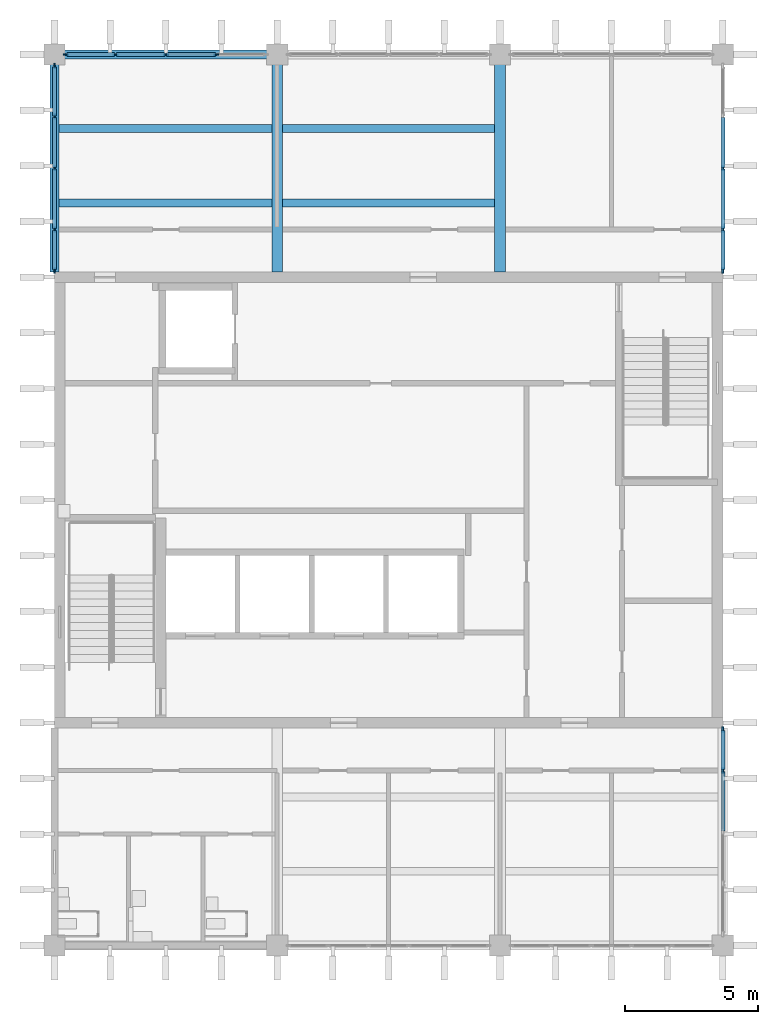
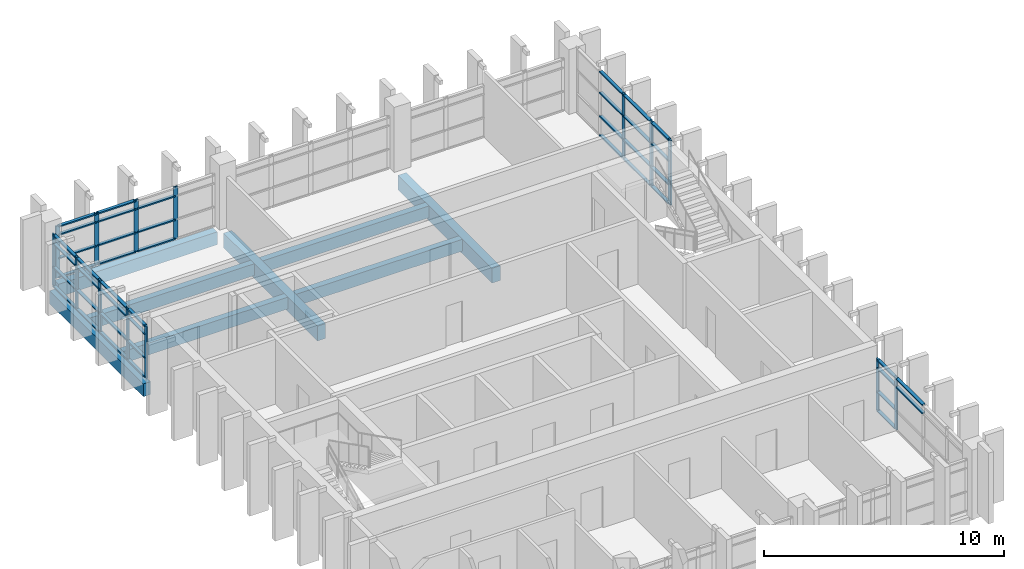
# One storey, part 3 of 11: 59 members, 8 beams, 4 elements without a shape of their own.
"""IFC4 building model written with IfcOpenShell, lengths in metres."""

from ifc_helpers import new_model, si_unit, direction, frame, origin, origin_2d, place, context, subcontext, project, spatial, rectangle, extrude, material, layer, layer_set, material_profile, profile_set, type_object, element, aggregate, save


model = new_model("IFC4")

# Units and contexts
model_context = context("Model", 3, precision=1e-05, world=origin(), true_north=direction((0.0, 1.0)))
body_context = subcontext(model_context, "Body", "Model", "MODEL_VIEW")
ifc_project = project(units=[si_unit("LENGTHUNIT", "METRE"), si_unit("AREAUNIT", "SQUARE_METRE"), si_unit("VOLUMEUNIT", "CUBIC_METRE"), si_unit("PLANEANGLEUNIT", "RADIAN"), si_unit("MASSUNIT", "GRAM", prefix="KILO")], contexts=[model_context])

# Site, building, storey
site_placement = place(None, origin())
site = spatial("IfcSite", under=ifc_project, at=site_placement, CompositionType="ELEMENT")
building_placement = place(site_placement, origin())
building = spatial("IfcBuilding", under=site, at=building_placement, Name="Rulbaag Community and Learning Centre", CompositionType="ELEMENT")
storey_placement = place(building_placement, frame((0.0, 0.0, 46.800048828125)))
storey = spatial("IfcBuildingStorey", under=building, at=storey_placement, Name="L12", CompositionType="ELEMENT", Elevation=46.800048828125)

# Beams
ifc_material_1 = material(Name="Concrete M40", Category="concrete")
ifc_material_profile_1 = material_profile(ifc_material_1, rectangle(XDim=0.35009765625, YDim=0.64990234375, at=origin_2d()), Name="RB350x650")
ifc_profile_set_1 = profile_set([ifc_material_profile_1], Name="Concrete M40")
beam_type_1 = type_object("IfcBeamType", Name="B14 Tower edge beam, upper zone 350x650 Concrete M40", PredefinedType="BEAM", material=ifc_profile_set_1)
beam_1_placement = place(storey_placement, frame((142.800048828125, 109.39990234375, -0.550048828125), z_axis=(0.0, 1.0, 0.0), x_axis=(-1.0, 0.0, 0.0)))
element("IfcBeam", 1, at=beam_1_placement, inside=storey, type_object=beam_type_1, Name="BM-L12-18N-18O", PredefinedType="BEAM", context=body_context, shape_type="SweptSolid", body=[
    extrude(rectangle(XDim=0.35009765625, YDim=0.64990234375, at=origin_2d()), origin(), (0.0, 0.0, 1.0), 7.820068359375),
])
beam_2_placement = place(storey_placement, frame((143.179931640625, 117.60009765625, -0.550048828125), z_axis=(1.0, 0.0, 0.0), x_axis=(0.0, 1.0, 0.0)))
element("IfcBeam", 2, at=beam_2_placement, inside=storey, type_object=beam_type_1, Name="BM-L12-18O-19O", PredefinedType="BEAM", context=body_context, shape_type="SweptSolid", body=[
    extrude(rectangle(XDim=0.35009765625, YDim=0.64990234375, at=origin_2d()), origin(), (0.0, 0.0, 1.0), 7.64013671875),
])
ifc_material_profile_2 = material_profile(ifc_material_1, rectangle(XDim=0.39990234375, YDim=0.75, at=origin_2d()), Name="RB400x750")
ifc_profile_set_2 = profile_set([ifc_material_profile_2], Name="Concrete M40")
beam_type_2 = type_object("IfcBeamType", Name="B15 Tower frame beam, middle zone 400x750 Concrete M40", PredefinedType="BEAM", material=ifc_profile_set_2)
for number, where, z_axis, x_axis, name in (
    (3, (151.199951171875, 109.39990234375, -0.60009765625), (0.0, 1.0, 0.0), (-1.0, 0.0, 0.0), "BM-L12-19N-19O"),
    (4, (159.60009765625, 109.39990234375, -0.60009765625), (0.0, 1.0, 0.0), (-1.0, 0.0, 0.0), "BM-L12-20N-20O"),
):
    element("IfcBeam", number, at=place(storey_placement, frame(where, z_axis=z_axis, x_axis=x_axis)), inside=storey, type_object=beam_type_2, Name=name, PredefinedType="BEAM", context=body_context, shape_type="SweptSolid", body=[
        extrude(rectangle(XDim=0.39990234375, YDim=0.75, at=origin_2d()), origin(), (0.0, 0.0, 1.0), 7.820068359375),
    ])
ifc_material_profile_3 = material_profile(ifc_material_1, rectangle(XDim=0.300048828125, YDim=0.60009765625, at=origin_2d()), Name="RB300x600")
ifc_profile_set_3 = profile_set([ifc_material_profile_3], Name="Concrete M40")
beam_type_3 = type_object("IfcBeamType", Name="B30 Secondary joist 300x600 Concrete M40", PredefinedType="BEAM", material=ifc_profile_set_3)
for number, where, z_axis, x_axis, name in (
    (5, (142.97509765625, 112.0, -0.525146484375), (1.0, 0.0, 0.0), (0.0, 1.0, 0.0), "BM-JS-L12-18N-1"),
    (6, (142.97509765625, 114.800048828125, -0.525146484375), (1.0, 0.0, 0.0), (0.0, 1.0, 0.0), "BM-JS-L12-18N-2"),
):
    element("IfcBeam", number, at=place(storey_placement, frame(where, z_axis=z_axis, x_axis=x_axis)), inside=storey, type_object=beam_type_3, Name=name, PredefinedType="BEAM", context=body_context, shape_type="SweptSolid", body=[
        extrude(rectangle(XDim=0.300048828125, YDim=0.60009765625, at=origin_2d()), origin(), (0.0, 0.0, 1.0), 8.02490234375),
    ])
for number, where, z_axis, x_axis, name in (
    (7, (151.39990234375, 112.0, -0.525146484375), (1.0, 0.0, 0.0), (0.0, 1.0, 0.0), "BM-JS-L12-19N-1"),
    (8, (151.39990234375, 114.800048828125, -0.525146484375), (1.0, 0.0, 0.0), (0.0, 1.0, 0.0), "BM-JS-L12-19N-2"),
):
    element("IfcBeam", number, at=place(storey_placement, frame(where, z_axis=z_axis, x_axis=x_axis)), inside=storey, type_object=beam_type_3, Name=name, PredefinedType="BEAM", context=body_context, shape_type="SweptSolid", body=[
        extrude(rectangle(XDim=0.300048828125, YDim=0.60009765625, at=origin_2d()), origin(), (0.0, 0.0, 1.0), 8.0),
    ])

# Curtain wall, members
ifc_material_2 = material(Name="Aluminium", Category="aluminium")
ifc_layer = layer(ifc_material_2, 0.14990234375)
ifc_layer_set = layer_set([ifc_layer], Name="CW-T")
curtain_wall_type = type_object("IfcCurtainWallType", Name="CW-T", PredefinedType="USERDEFINED", material=ifc_layer_set)
curtain_wall_1_placement = place(storey_placement, origin())
curtain_wall_1 = element("IfcCurtainWall", 9, at=curtain_wall_1_placement, inside=storey, type_object=curtain_wall_type, Name="GT-L12-01", ObjectType="UNITISED CURTAIN WALL", PredefinedType="USERDEFINED")
ifc_material_3 = material(Name="Aluminium mullion", Category="aluminium")
ifc_material_profile_4 = material_profile(ifc_material_3, rectangle(XDim=0.06494140625, YDim=0.199951171875, at=origin_2d()), Name="AL 65x200")
ifc_profile_set_4 = profile_set([ifc_material_profile_4], Name="Aluminium mullion")
member_type_1 = type_object("IfcMemberType", Name="CW-T-MUL", PredefinedType="MULLION", material=ifc_profile_set_4)
member_1_placement = place(storey_placement, frame((143.232421875, 117.60009765625, 0.0), z_axis=(0.0, 0.0, 1.0), x_axis=(0.0, 1.0, 0.0)))
member_1 = element("IfcMember", 10, at=member_1_placement, type_object=member_type_1, Name="GT mullion 1", PredefinedType="MULLION", context=body_context, shape_type="SweptSolid", body=[
    extrude(rectangle(XDim=0.06494140625, YDim=0.199951171875, at=origin_2d()), origin(), (0.0, 0.0, 1.0), 2.64990234375),
])
member_2_placement = place(storey_placement, frame((145.10009765625, 117.60009765625, 0.0), z_axis=(0.0, 0.0, 1.0), x_axis=(0.0, 1.0, 0.0)))
member_2 = element("IfcMember", 11, at=member_2_placement, type_object=member_type_1, Name="GT mullion 2", PredefinedType="MULLION", context=body_context, shape_type="SweptSolid", body=[
    extrude(rectangle(XDim=0.06494140625, YDim=0.199951171875, at=origin_2d()), origin(), (0.0, 0.0, 1.0), 2.64990234375),
])
member_3_placement = place(storey_placement, frame((147.0, 117.60009765625, 0.0), z_axis=(0.0, 0.0, 1.0), x_axis=(0.0, 1.0, 0.0)))
member_3 = element("IfcMember", 12, at=member_3_placement, type_object=member_type_1, Name="GT mullion 3", PredefinedType="MULLION", context=body_context, shape_type="SweptSolid", body=[
    extrude(rectangle(XDim=0.06494140625, YDim=0.199951171875, at=origin_2d()), origin(), (0.0, 0.0, 1.0), 2.64990234375),
])
member_4_placement = place(storey_placement, frame((148.89990234375, 117.60009765625, 0.0), z_axis=(0.0, 0.0, 1.0), x_axis=(0.0, 1.0, 0.0)))
member_4 = element("IfcMember", 13, at=member_4_placement, type_object=member_type_1, Name="GT mullion 4", PredefinedType="MULLION", context=body_context, shape_type="SweptSolid", body=[
    extrude(rectangle(XDim=0.06494140625, YDim=0.199951171875, at=origin_2d()), origin(), (0.0, 0.0, 1.0), 2.64990234375),
])

curtain_wall_2_placement = place(storey_placement, origin())
curtain_wall_2 = element("IfcCurtainWall", 14, at=curtain_wall_2_placement, inside=storey, type_object=curtain_wall_type, Name="GT-L12-04", ObjectType="UNITISED CURTAIN WALL", PredefinedType="USERDEFINED")
member_5_placement = place(storey_placement, frame((142.800048828125, 109.45751953125, 0.0), z_axis=(0.0, 0.0, 1.0), x_axis=(-1.0, 0.0, 0.0)))
member_5 = element("IfcMember", 15, at=member_5_placement, type_object=member_type_1, Name="GT mullion 1", PredefinedType="MULLION", context=body_context, shape_type="SweptSolid", body=[
    extrude(rectangle(XDim=0.06494140625, YDim=0.199951171875, at=origin_2d()), origin(), (0.0, 0.0, 1.0), 2.64990234375),
])
member_6_placement = place(storey_placement, frame((142.800048828125, 111.0, 0.0), z_axis=(0.0, 0.0, 1.0), x_axis=(-1.0, 0.0, 0.0)))
member_6 = element("IfcMember", 16, at=member_6_placement, type_object=member_type_1, Name="GT mullion 2", PredefinedType="MULLION", context=body_context, shape_type="SweptSolid", body=[
    extrude(rectangle(XDim=0.06494140625, YDim=0.199951171875, at=origin_2d()), origin(), (0.0, 0.0, 1.0), 2.64990234375),
])
member_7_placement = place(storey_placement, frame((142.800048828125, 113.3125, 0.0), z_axis=(0.0, 0.0, 1.0), x_axis=(-1.0, 0.0, 0.0)))
member_7 = element("IfcMember", 17, at=member_7_placement, type_object=member_type_1, Name="GT mullion 3", PredefinedType="MULLION", context=body_context, shape_type="SweptSolid", body=[
    extrude(rectangle(XDim=0.06494140625, YDim=0.199951171875, at=origin_2d()), origin(), (0.0, 0.0, 1.0), 2.64990234375),
])
member_8_placement = place(storey_placement, frame((142.800048828125, 115.25634765625, 0.0), z_axis=(0.0, 0.0, 1.0), x_axis=(-1.0, 0.0, 0.0)))
member_8 = element("IfcMember", 18, at=member_8_placement, type_object=member_type_1, Name="GT mullion 4", PredefinedType="MULLION", context=body_context, shape_type="SweptSolid", body=[
    extrude(rectangle(XDim=0.06494140625, YDim=0.199951171875, at=origin_2d()), origin(), (0.0, 0.0, 1.0), 2.64990234375),
])
member_9_placement = place(storey_placement, frame((142.800048828125, 117.16748046875, 0.0), z_axis=(0.0, 0.0, 1.0), x_axis=(-1.0, 0.0, 0.0)))
member_9 = element("IfcMember", 19, at=member_9_placement, type_object=member_type_1, Name="GT mullion 5", PredefinedType="MULLION", context=body_context, shape_type="SweptSolid", body=[
    extrude(rectangle(XDim=0.06494140625, YDim=0.199951171875, at=origin_2d()), origin(), (0.0, 0.0, 1.0), 2.64990234375),
])

curtain_wall_3_placement = place(storey_placement, origin())
curtain_wall_3 = element("IfcCurtainWall", 20, at=curtain_wall_3_placement, inside=storey, type_object=curtain_wall_type, Name="GT-L12-05", ObjectType="UNITISED CURTAIN WALL", PredefinedType="USERDEFINED")
member_10_placement = place(storey_placement, frame((168.0, 90.60009765625, 0.0), z_axis=(0.0, 0.0, 1.0), x_axis=(-1.0, 0.0, 0.0)))
member_10 = element("IfcMember", 21, at=member_10_placement, type_object=member_type_1, Name="GT mullion 4", PredefinedType="MULLION", context=body_context, shape_type="SweptSolid", body=[
    extrude(rectangle(XDim=0.06494140625, YDim=0.199951171875, at=origin_2d()), origin(), (0.0, 0.0, 1.0), 2.64990234375),
])
member_11_placement = place(storey_placement, frame((168.0, 92.142578125, 0.0), z_axis=(0.0, 0.0, 1.0), x_axis=(-1.0, 0.0, 0.0)))
member_11 = element("IfcMember", 22, at=member_11_placement, type_object=member_type_1, Name="GT mullion 5", PredefinedType="MULLION", context=body_context, shape_type="SweptSolid", body=[
    extrude(rectangle(XDim=0.06494140625, YDim=0.199951171875, at=origin_2d()), origin(), (0.0, 0.0, 1.0), 2.64990234375),
])

curtain_wall_4_placement = place(storey_placement, origin())
curtain_wall_4 = element("IfcCurtainWall", 23, at=curtain_wall_4_placement, inside=storey, type_object=curtain_wall_type, Name="GT-L12-06", ObjectType="UNITISED CURTAIN WALL", PredefinedType="USERDEFINED")
member_12_placement = place(storey_placement, frame((168.0, 109.45751953125, 0.0), z_axis=(0.0, 0.0, 1.0), x_axis=(-1.0, 0.0, 0.0)))
member_12 = element("IfcMember", 24, at=member_12_placement, type_object=member_type_1, Name="GT mullion 1", PredefinedType="MULLION", context=body_context, shape_type="SweptSolid", body=[
    extrude(rectangle(XDim=0.06494140625, YDim=0.199951171875, at=origin_2d()), origin(), (0.0, 0.0, 1.0), 3.300048828125),
])
member_13_placement = place(storey_placement, frame((168.0, 111.0, 0.0), z_axis=(0.0, 0.0, 1.0), x_axis=(-1.0, 0.0, 0.0)))
member_13 = element("IfcMember", 25, at=member_13_placement, type_object=member_type_1, Name="GT mullion 2", PredefinedType="MULLION", context=body_context, shape_type="SweptSolid", body=[
    extrude(rectangle(XDim=0.06494140625, YDim=0.199951171875, at=origin_2d()), origin(), (0.0, 0.0, 1.0), 3.300048828125),
])
member_14_placement = place(storey_placement, frame((168.0, 113.3125, 0.0), z_axis=(0.0, 0.0, 1.0), x_axis=(-1.0, 0.0, 0.0)))
member_14 = element("IfcMember", 26, at=member_14_placement, type_object=member_type_1, Name="GT mullion 3", PredefinedType="MULLION", context=body_context, shape_type="SweptSolid", body=[
    extrude(rectangle(XDim=0.06494140625, YDim=0.199951171875, at=origin_2d()), origin(), (0.0, 0.0, 1.0), 3.300048828125),
])

# Member
ifc_material_4 = material(Name="Aluminium transom", Category="aluminium")
ifc_material_profile_5 = material_profile(ifc_material_4, rectangle(XDim=0.14990234375, YDim=0.06494140625, at=origin_2d()), Name="AL 65x150 T")
ifc_profile_set_5 = profile_set([ifc_material_profile_5], Name="Aluminium transom")
member_type_2 = type_object("IfcMemberType", Name="CW-T-TRN", PredefinedType="USERDEFINED", material=ifc_profile_set_5)
member_15_placement = place(storey_placement, frame((143.264892578125, 117.60009765625, 0.032470703125), z_axis=(1.0, 0.0, 0.0), x_axis=(0.0, 1.0, 0.0)))
member_15 = element("IfcMember", 27, at=member_15_placement, type_object=member_type_2, Name="GT transom 1.1", ObjectType="TRANSOM", PredefinedType="USERDEFINED", context=body_context, shape_type="SweptSolid", body=[
    extrude(rectangle(XDim=0.14990234375, YDim=0.06494140625, at=origin_2d()), origin(), (0.0, 0.0, 1.0), 1.802490234375),
])

member_16_placement = place(storey_placement, frame((143.264892578125, 117.60009765625, 1.0), z_axis=(1.0, 0.0, 0.0), x_axis=(0.0, 1.0, 0.0)))
member_16 = element("IfcMember", 28, at=member_16_placement, type_object=member_type_2, Name="GT transom 1.2", ObjectType="TRANSOM", PredefinedType="USERDEFINED", context=body_context, shape_type="SweptSolid", body=[
    extrude(rectangle(XDim=0.14990234375, YDim=0.06494140625, at=origin_2d()), origin(), (0.0, 0.0, 1.0), 1.802490234375),
])

member_17_placement = place(storey_placement, frame((143.264892578125, 117.60009765625, 2.199951171875), z_axis=(1.0, 0.0, 0.0), x_axis=(0.0, 1.0, 0.0)))
member_17 = element("IfcMember", 29, at=member_17_placement, type_object=member_type_2, Name="GT transom 1.3", ObjectType="TRANSOM", PredefinedType="USERDEFINED", context=body_context, shape_type="SweptSolid", body=[
    extrude(rectangle(XDim=0.14990234375, YDim=0.06494140625, at=origin_2d()), origin(), (0.0, 0.0, 1.0), 1.802490234375),
])

member_18_placement = place(storey_placement, frame((143.264892578125, 117.60009765625, 2.617431640625), z_axis=(1.0, 0.0, 0.0), x_axis=(0.0, 1.0, 0.0)))
member_18 = element("IfcMember", 30, at=member_18_placement, type_object=member_type_2, Name="GT transom 1.4", ObjectType="TRANSOM", PredefinedType="USERDEFINED", context=body_context, shape_type="SweptSolid", body=[
    extrude(rectangle(XDim=0.14990234375, YDim=0.06494140625, at=origin_2d()), origin(), (0.0, 0.0, 1.0), 1.802490234375),
])

member_19_placement = place(storey_placement, frame((145.132568359375, 117.60009765625, 0.032470703125), z_axis=(1.0, 0.0, 0.0), x_axis=(0.0, 1.0, 0.0)))
member_19 = element("IfcMember", 31, at=member_19_placement, type_object=member_type_2, Name="GT transom 2.1", ObjectType="TRANSOM", PredefinedType="USERDEFINED", context=body_context, shape_type="SweptSolid", body=[
    extrude(rectangle(XDim=0.14990234375, YDim=0.06494140625, at=origin_2d()), origin(), (0.0, 0.0, 1.0), 1.8349609375),
])

member_20_placement = place(storey_placement, frame((145.132568359375, 117.60009765625, 1.0), z_axis=(1.0, 0.0, 0.0), x_axis=(0.0, 1.0, 0.0)))
member_20 = element("IfcMember", 32, at=member_20_placement, type_object=member_type_2, Name="GT transom 2.2", ObjectType="TRANSOM", PredefinedType="USERDEFINED", context=body_context, shape_type="SweptSolid", body=[
    extrude(rectangle(XDim=0.14990234375, YDim=0.06494140625, at=origin_2d()), origin(), (0.0, 0.0, 1.0), 1.8349609375),
])

member_21_placement = place(storey_placement, frame((145.132568359375, 117.60009765625, 2.199951171875), z_axis=(1.0, 0.0, 0.0), x_axis=(0.0, 1.0, 0.0)))
member_21 = element("IfcMember", 33, at=member_21_placement, type_object=member_type_2, Name="GT transom 2.3", ObjectType="TRANSOM", PredefinedType="USERDEFINED", context=body_context, shape_type="SweptSolid", body=[
    extrude(rectangle(XDim=0.14990234375, YDim=0.06494140625, at=origin_2d()), origin(), (0.0, 0.0, 1.0), 1.8349609375),
])

member_22_placement = place(storey_placement, frame((145.132568359375, 117.60009765625, 2.617431640625), z_axis=(1.0, 0.0, 0.0), x_axis=(0.0, 1.0, 0.0)))
member_22 = element("IfcMember", 34, at=member_22_placement, type_object=member_type_2, Name="GT transom 2.4", ObjectType="TRANSOM", PredefinedType="USERDEFINED", context=body_context, shape_type="SweptSolid", body=[
    extrude(rectangle(XDim=0.14990234375, YDim=0.06494140625, at=origin_2d()), origin(), (0.0, 0.0, 1.0), 1.8349609375),
])

member_23_placement = place(storey_placement, frame((147.032470703125, 117.60009765625, 0.032470703125), z_axis=(1.0, 0.0, 0.0), x_axis=(0.0, 1.0, 0.0)))
member_23 = element("IfcMember", 35, at=member_23_placement, type_object=member_type_2, Name="GT transom 3.1", ObjectType="TRANSOM", PredefinedType="USERDEFINED", context=body_context, shape_type="SweptSolid", body=[
    extrude(rectangle(XDim=0.14990234375, YDim=0.06494140625, at=origin_2d()), origin(), (0.0, 0.0, 1.0), 1.8349609375),
])

member_24_placement = place(storey_placement, frame((147.032470703125, 117.60009765625, 1.0), z_axis=(1.0, 0.0, 0.0), x_axis=(0.0, 1.0, 0.0)))
member_24 = element("IfcMember", 36, at=member_24_placement, type_object=member_type_2, Name="GT transom 3.2", ObjectType="TRANSOM", PredefinedType="USERDEFINED", context=body_context, shape_type="SweptSolid", body=[
    extrude(rectangle(XDim=0.14990234375, YDim=0.06494140625, at=origin_2d()), origin(), (0.0, 0.0, 1.0), 1.8349609375),
])

member_25_placement = place(storey_placement, frame((147.032470703125, 117.60009765625, 2.199951171875), z_axis=(1.0, 0.0, 0.0), x_axis=(0.0, 1.0, 0.0)))
member_25 = element("IfcMember", 37, at=member_25_placement, type_object=member_type_2, Name="GT transom 3.3", ObjectType="TRANSOM", PredefinedType="USERDEFINED", context=body_context, shape_type="SweptSolid", body=[
    extrude(rectangle(XDim=0.14990234375, YDim=0.06494140625, at=origin_2d()), origin(), (0.0, 0.0, 1.0), 1.8349609375),
])

aggregate(curtain_wall_1, [member_1, member_2, member_3, member_4, member_15, member_16, member_17, member_18, member_19, member_20, member_21, member_22, member_23, member_24, member_25])

member_26_placement = place(storey_placement, frame((142.800048828125, 109.489990234375, 0.032470703125), z_axis=(0.0, 1.0, 0.0), x_axis=(-1.0, 0.0, 0.0)))
member_26 = element("IfcMember", 38, at=member_26_placement, type_object=member_type_2, Name="GT transom 1.1", ObjectType="TRANSOM", PredefinedType="USERDEFINED", context=body_context, shape_type="SweptSolid", body=[
    extrude(rectangle(XDim=0.14990234375, YDim=0.06494140625, at=origin_2d()), origin(), (0.0, 0.0, 1.0), 1.4775390625),
])

member_27_placement = place(storey_placement, frame((142.800048828125, 109.489990234375, 1.0), z_axis=(0.0, 1.0, 0.0), x_axis=(-1.0, 0.0, 0.0)))
member_27 = element("IfcMember", 39, at=member_27_placement, type_object=member_type_2, Name="GT transom 1.2", ObjectType="TRANSOM", PredefinedType="USERDEFINED", context=body_context, shape_type="SweptSolid", body=[
    extrude(rectangle(XDim=0.14990234375, YDim=0.06494140625, at=origin_2d()), origin(), (0.0, 0.0, 1.0), 1.4775390625),
])

member_28_placement = place(storey_placement, frame((142.800048828125, 109.489990234375, 2.199951171875), z_axis=(0.0, 1.0, 0.0), x_axis=(-1.0, 0.0, 0.0)))
member_28 = element("IfcMember", 40, at=member_28_placement, type_object=member_type_2, Name="GT transom 1.3", ObjectType="TRANSOM", PredefinedType="USERDEFINED", context=body_context, shape_type="SweptSolid", body=[
    extrude(rectangle(XDim=0.14990234375, YDim=0.06494140625, at=origin_2d()), origin(), (0.0, 0.0, 1.0), 1.4775390625),
])

member_29_placement = place(storey_placement, frame((142.800048828125, 109.489990234375, 2.617431640625), z_axis=(0.0, 1.0, 0.0), x_axis=(-1.0, 0.0, 0.0)))
member_29 = element("IfcMember", 41, at=member_29_placement, type_object=member_type_2, Name="GT transom 1.4", ObjectType="TRANSOM", PredefinedType="USERDEFINED", context=body_context, shape_type="SweptSolid", body=[
    extrude(rectangle(XDim=0.14990234375, YDim=0.06494140625, at=origin_2d()), origin(), (0.0, 0.0, 1.0), 1.4775390625),
])

member_30_placement = place(storey_placement, frame((142.800048828125, 111.032470703125, 0.032470703125), z_axis=(0.0, 1.0, 0.0), x_axis=(-1.0, 0.0, 0.0)))
member_30 = element("IfcMember", 42, at=member_30_placement, type_object=member_type_2, Name="GT transom 2.1", ObjectType="TRANSOM", PredefinedType="USERDEFINED", context=body_context, shape_type="SweptSolid", body=[
    extrude(rectangle(XDim=0.14990234375, YDim=0.06494140625, at=origin_2d()), origin(), (0.0, 0.0, 1.0), 2.24755859375),
])

member_31_placement = place(storey_placement, frame((142.800048828125, 111.032470703125, 1.0), z_axis=(0.0, 1.0, 0.0), x_axis=(-1.0, 0.0, 0.0)))
member_31 = element("IfcMember", 43, at=member_31_placement, type_object=member_type_2, Name="GT transom 2.2", ObjectType="TRANSOM", PredefinedType="USERDEFINED", context=body_context, shape_type="SweptSolid", body=[
    extrude(rectangle(XDim=0.14990234375, YDim=0.06494140625, at=origin_2d()), origin(), (0.0, 0.0, 1.0), 2.24755859375),
])

member_32_placement = place(storey_placement, frame((142.800048828125, 111.032470703125, 2.199951171875), z_axis=(0.0, 1.0, 0.0), x_axis=(-1.0, 0.0, 0.0)))
member_32 = element("IfcMember", 44, at=member_32_placement, type_object=member_type_2, Name="GT transom 2.3", ObjectType="TRANSOM", PredefinedType="USERDEFINED", context=body_context, shape_type="SweptSolid", body=[
    extrude(rectangle(XDim=0.14990234375, YDim=0.06494140625, at=origin_2d()), origin(), (0.0, 0.0, 1.0), 2.24755859375),
])

member_33_placement = place(storey_placement, frame((142.800048828125, 111.032470703125, 2.617431640625), z_axis=(0.0, 1.0, 0.0), x_axis=(-1.0, 0.0, 0.0)))
member_33 = element("IfcMember", 45, at=member_33_placement, type_object=member_type_2, Name="GT transom 2.4", ObjectType="TRANSOM", PredefinedType="USERDEFINED", context=body_context, shape_type="SweptSolid", body=[
    extrude(rectangle(XDim=0.14990234375, YDim=0.06494140625, at=origin_2d()), origin(), (0.0, 0.0, 1.0), 2.24755859375),
])

member_34_placement = place(storey_placement, frame((142.800048828125, 113.344970703125, 0.032470703125), z_axis=(0.0, 1.0, 0.0), x_axis=(-1.0, 0.0, 0.0)))
member_34 = element("IfcMember", 46, at=member_34_placement, type_object=member_type_2, Name="GT transom 3.1", ObjectType="TRANSOM", PredefinedType="USERDEFINED", context=body_context, shape_type="SweptSolid", body=[
    extrude(rectangle(XDim=0.14990234375, YDim=0.06494140625, at=origin_2d()), origin(), (0.0, 0.0, 1.0), 1.878662109375),
])

member_35_placement = place(storey_placement, frame((142.800048828125, 113.344970703125, 1.0), z_axis=(0.0, 1.0, 0.0), x_axis=(-1.0, 0.0, 0.0)))
member_35 = element("IfcMember", 47, at=member_35_placement, type_object=member_type_2, Name="GT transom 3.2", ObjectType="TRANSOM", PredefinedType="USERDEFINED", context=body_context, shape_type="SweptSolid", body=[
    extrude(rectangle(XDim=0.14990234375, YDim=0.06494140625, at=origin_2d()), origin(), (0.0, 0.0, 1.0), 1.878662109375),
])

member_36_placement = place(storey_placement, frame((142.800048828125, 113.344970703125, 2.199951171875), z_axis=(0.0, 1.0, 0.0), x_axis=(-1.0, 0.0, 0.0)))
member_36 = element("IfcMember", 48, at=member_36_placement, type_object=member_type_2, Name="GT transom 3.3", ObjectType="TRANSOM", PredefinedType="USERDEFINED", context=body_context, shape_type="SweptSolid", body=[
    extrude(rectangle(XDim=0.14990234375, YDim=0.06494140625, at=origin_2d()), origin(), (0.0, 0.0, 1.0), 1.878662109375),
])

member_37_placement = place(storey_placement, frame((142.800048828125, 113.344970703125, 2.617431640625), z_axis=(0.0, 1.0, 0.0), x_axis=(-1.0, 0.0, 0.0)))
member_37 = element("IfcMember", 49, at=member_37_placement, type_object=member_type_2, Name="GT transom 3.4", ObjectType="TRANSOM", PredefinedType="USERDEFINED", context=body_context, shape_type="SweptSolid", body=[
    extrude(rectangle(XDim=0.14990234375, YDim=0.06494140625, at=origin_2d()), origin(), (0.0, 0.0, 1.0), 1.878662109375),
])

member_38_placement = place(storey_placement, frame((142.800048828125, 115.288818359375, 0.032470703125), z_axis=(0.0, 1.0, 0.0), x_axis=(-1.0, 0.0, 0.0)))
member_38 = element("IfcMember", 50, at=member_38_placement, type_object=member_type_2, Name="GT transom 4.1", ObjectType="TRANSOM", PredefinedType="USERDEFINED", context=body_context, shape_type="SweptSolid", body=[
    extrude(rectangle(XDim=0.14990234375, YDim=0.06494140625, at=origin_2d()), origin(), (0.0, 0.0, 1.0), 1.84619140625),
])

member_39_placement = place(storey_placement, frame((142.800048828125, 115.288818359375, 1.0), z_axis=(0.0, 1.0, 0.0), x_axis=(-1.0, 0.0, 0.0)))
member_39 = element("IfcMember", 51, at=member_39_placement, type_object=member_type_2, Name="GT transom 4.2", ObjectType="TRANSOM", PredefinedType="USERDEFINED", context=body_context, shape_type="SweptSolid", body=[
    extrude(rectangle(XDim=0.14990234375, YDim=0.06494140625, at=origin_2d()), origin(), (0.0, 0.0, 1.0), 1.84619140625),
])

member_40_placement = place(storey_placement, frame((142.800048828125, 115.288818359375, 2.199951171875), z_axis=(0.0, 1.0, 0.0), x_axis=(-1.0, 0.0, 0.0)))
member_40 = element("IfcMember", 52, at=member_40_placement, type_object=member_type_2, Name="GT transom 4.3", ObjectType="TRANSOM", PredefinedType="USERDEFINED", context=body_context, shape_type="SweptSolid", body=[
    extrude(rectangle(XDim=0.14990234375, YDim=0.06494140625, at=origin_2d()), origin(), (0.0, 0.0, 1.0), 1.84619140625),
])

member_41_placement = place(storey_placement, frame((142.800048828125, 115.288818359375, 2.617431640625), z_axis=(0.0, 1.0, 0.0), x_axis=(-1.0, 0.0, 0.0)))
member_41 = element("IfcMember", 53, at=member_41_placement, type_object=member_type_2, Name="GT transom 4.4", ObjectType="TRANSOM", PredefinedType="USERDEFINED", context=body_context, shape_type="SweptSolid", body=[
    extrude(rectangle(XDim=0.14990234375, YDim=0.06494140625, at=origin_2d()), origin(), (0.0, 0.0, 1.0), 1.84619140625),
])

aggregate(curtain_wall_2, [member_5, member_6, member_7, member_8, member_9, member_26, member_27, member_28, member_29, member_30, member_31, member_32, member_33, member_34, member_35, member_36, member_37, member_38, member_39, member_40, member_41])

member_42_placement = place(storey_placement, frame((168.0, 88.320068359375, 2.199951171875), z_axis=(0.0, 1.0, 0.0), x_axis=(-1.0, 0.0, 0.0)))
member_42 = element("IfcMember", 54, at=member_42_placement, type_object=member_type_2, Name="GT transom 3.3", ObjectType="TRANSOM", PredefinedType="USERDEFINED", context=body_context, shape_type="SweptSolid", body=[
    extrude(rectangle(XDim=0.14990234375, YDim=0.06494140625, at=origin_2d()), origin(), (0.0, 0.0, 1.0), 2.247314453125),
])

member_43_placement = place(storey_placement, frame((168.0, 88.320068359375, 2.617431640625), z_axis=(0.0, 1.0, 0.0), x_axis=(-1.0, 0.0, 0.0)))
member_43 = element("IfcMember", 55, at=member_43_placement, type_object=member_type_2, Name="GT transom 3.4", ObjectType="TRANSOM", PredefinedType="USERDEFINED", context=body_context, shape_type="SweptSolid", body=[
    extrude(rectangle(XDim=0.14990234375, YDim=0.06494140625, at=origin_2d()), origin(), (0.0, 0.0, 1.0), 2.247314453125),
])

member_44_placement = place(storey_placement, frame((168.0, 90.632568359375, 0.032470703125), z_axis=(0.0, 1.0, 0.0), x_axis=(-1.0, 0.0, 0.0)))
member_44 = element("IfcMember", 56, at=member_44_placement, type_object=member_type_2, Name="GT transom 4.1", ObjectType="TRANSOM", PredefinedType="USERDEFINED", context=body_context, shape_type="SweptSolid", body=[
    extrude(rectangle(XDim=0.14990234375, YDim=0.06494140625, at=origin_2d()), origin(), (0.0, 0.0, 1.0), 1.4775390625),
])

member_45_placement = place(storey_placement, frame((168.0, 90.632568359375, 1.0), z_axis=(0.0, 1.0, 0.0), x_axis=(-1.0, 0.0, 0.0)))
member_45 = element("IfcMember", 57, at=member_45_placement, type_object=member_type_2, Name="GT transom 4.2", ObjectType="TRANSOM", PredefinedType="USERDEFINED", context=body_context, shape_type="SweptSolid", body=[
    extrude(rectangle(XDim=0.14990234375, YDim=0.06494140625, at=origin_2d()), origin(), (0.0, 0.0, 1.0), 1.4775390625),
])

member_46_placement = place(storey_placement, frame((168.0, 90.632568359375, 2.199951171875), z_axis=(0.0, 1.0, 0.0), x_axis=(-1.0, 0.0, 0.0)))
member_46 = element("IfcMember", 58, at=member_46_placement, type_object=member_type_2, Name="GT transom 4.3", ObjectType="TRANSOM", PredefinedType="USERDEFINED", context=body_context, shape_type="SweptSolid", body=[
    extrude(rectangle(XDim=0.14990234375, YDim=0.06494140625, at=origin_2d()), origin(), (0.0, 0.0, 1.0), 1.4775390625),
])

member_47_placement = place(storey_placement, frame((168.0, 90.632568359375, 2.617431640625), z_axis=(0.0, 1.0, 0.0), x_axis=(-1.0, 0.0, 0.0)))
member_47 = element("IfcMember", 59, at=member_47_placement, type_object=member_type_2, Name="GT transom 4.4", ObjectType="TRANSOM", PredefinedType="USERDEFINED", context=body_context, shape_type="SweptSolid", body=[
    extrude(rectangle(XDim=0.14990234375, YDim=0.06494140625, at=origin_2d()), origin(), (0.0, 0.0, 1.0), 1.4775390625),
])

aggregate(curtain_wall_3, [member_10, member_11, member_42, member_43, member_44, member_45, member_46, member_47])

member_48_placement = place(storey_placement, frame((168.0, 109.489990234375, 0.032470703125), z_axis=(0.0, 1.0, 0.0), x_axis=(-1.0, 0.0, 0.0)))
member_48 = element("IfcMember", 60, at=member_48_placement, type_object=member_type_2, Name="GT transom 1.1", ObjectType="TRANSOM", PredefinedType="USERDEFINED", context=body_context, shape_type="SweptSolid", body=[
    extrude(rectangle(XDim=0.14990234375, YDim=0.06494140625, at=origin_2d()), origin(), (0.0, 0.0, 1.0), 1.4775390625),
])

member_49_placement = place(storey_placement, frame((168.0, 109.489990234375, 1.0), z_axis=(0.0, 1.0, 0.0), x_axis=(-1.0, 0.0, 0.0)))
member_49 = element("IfcMember", 61, at=member_49_placement, type_object=member_type_2, Name="GT transom 1.2", ObjectType="TRANSOM", PredefinedType="USERDEFINED", context=body_context, shape_type="SweptSolid", body=[
    extrude(rectangle(XDim=0.14990234375, YDim=0.06494140625, at=origin_2d()), origin(), (0.0, 0.0, 1.0), 1.4775390625),
])

member_50_placement = place(storey_placement, frame((168.0, 109.489990234375, 2.199951171875), z_axis=(0.0, 1.0, 0.0), x_axis=(-1.0, 0.0, 0.0)))
member_50 = element("IfcMember", 62, at=member_50_placement, type_object=member_type_2, Name="GT transom 1.3", ObjectType="TRANSOM", PredefinedType="USERDEFINED", context=body_context, shape_type="SweptSolid", body=[
    extrude(rectangle(XDim=0.14990234375, YDim=0.06494140625, at=origin_2d()), origin(), (0.0, 0.0, 1.0), 1.4775390625),
])

member_51_placement = place(storey_placement, frame((168.0, 109.489990234375, 3.267333984375), z_axis=(0.0, 1.0, 0.0), x_axis=(-1.0, 0.0, 0.0)))
member_51 = element("IfcMember", 63, at=member_51_placement, type_object=member_type_2, Name="GT transom 1.4", ObjectType="TRANSOM", PredefinedType="USERDEFINED", context=body_context, shape_type="SweptSolid", body=[
    extrude(rectangle(XDim=0.14990234375, YDim=0.06494140625, at=origin_2d()), origin(), (0.0, 0.0, 1.0), 1.4775390625),
])

member_52_placement = place(storey_placement, frame((168.0, 111.032470703125, 0.032470703125), z_axis=(0.0, 1.0, 0.0), x_axis=(-1.0, 0.0, 0.0)))
member_52 = element("IfcMember", 64, at=member_52_placement, type_object=member_type_2, Name="GT transom 2.1", ObjectType="TRANSOM", PredefinedType="USERDEFINED", context=body_context, shape_type="SweptSolid", body=[
    extrude(rectangle(XDim=0.14990234375, YDim=0.06494140625, at=origin_2d()), origin(), (0.0, 0.0, 1.0), 2.24755859375),
])

member_53_placement = place(storey_placement, frame((168.0, 111.032470703125, 1.0), z_axis=(0.0, 1.0, 0.0), x_axis=(-1.0, 0.0, 0.0)))
member_53 = element("IfcMember", 65, at=member_53_placement, type_object=member_type_2, Name="GT transom 2.2", ObjectType="TRANSOM", PredefinedType="USERDEFINED", context=body_context, shape_type="SweptSolid", body=[
    extrude(rectangle(XDim=0.14990234375, YDim=0.06494140625, at=origin_2d()), origin(), (0.0, 0.0, 1.0), 2.24755859375),
])

member_54_placement = place(storey_placement, frame((168.0, 111.032470703125, 2.199951171875), z_axis=(0.0, 1.0, 0.0), x_axis=(-1.0, 0.0, 0.0)))
member_54 = element("IfcMember", 66, at=member_54_placement, type_object=member_type_2, Name="GT transom 2.3", ObjectType="TRANSOM", PredefinedType="USERDEFINED", context=body_context, shape_type="SweptSolid", body=[
    extrude(rectangle(XDim=0.14990234375, YDim=0.06494140625, at=origin_2d()), origin(), (0.0, 0.0, 1.0), 2.24755859375),
])

member_55_placement = place(storey_placement, frame((168.0, 111.032470703125, 3.267333984375), z_axis=(0.0, 1.0, 0.0), x_axis=(-1.0, 0.0, 0.0)))
member_55 = element("IfcMember", 67, at=member_55_placement, type_object=member_type_2, Name="GT transom 2.4", ObjectType="TRANSOM", PredefinedType="USERDEFINED", context=body_context, shape_type="SweptSolid", body=[
    extrude(rectangle(XDim=0.14990234375, YDim=0.06494140625, at=origin_2d()), origin(), (0.0, 0.0, 1.0), 2.24755859375),
])

member_56_placement = place(storey_placement, frame((168.0, 113.344970703125, 0.032470703125), z_axis=(0.0, 1.0, 0.0), x_axis=(-1.0, 0.0, 0.0)))
member_56 = element("IfcMember", 68, at=member_56_placement, type_object=member_type_2, Name="GT transom 3.1", ObjectType="TRANSOM", PredefinedType="USERDEFINED", context=body_context, shape_type="SweptSolid", body=[
    extrude(rectangle(XDim=0.14990234375, YDim=0.06494140625, at=origin_2d()), origin(), (0.0, 0.0, 1.0), 1.878662109375),
])

member_57_placement = place(storey_placement, frame((168.0, 113.344970703125, 1.0), z_axis=(0.0, 1.0, 0.0), x_axis=(-1.0, 0.0, 0.0)))
member_57 = element("IfcMember", 69, at=member_57_placement, type_object=member_type_2, Name="GT transom 3.2", ObjectType="TRANSOM", PredefinedType="USERDEFINED", context=body_context, shape_type="SweptSolid", body=[
    extrude(rectangle(XDim=0.14990234375, YDim=0.06494140625, at=origin_2d()), origin(), (0.0, 0.0, 1.0), 1.878662109375),
])

member_58_placement = place(storey_placement, frame((168.0, 113.344970703125, 2.199951171875), z_axis=(0.0, 1.0, 0.0), x_axis=(-1.0, 0.0, 0.0)))
member_58 = element("IfcMember", 70, at=member_58_placement, type_object=member_type_2, Name="GT transom 3.3", ObjectType="TRANSOM", PredefinedType="USERDEFINED", context=body_context, shape_type="SweptSolid", body=[
    extrude(rectangle(XDim=0.14990234375, YDim=0.06494140625, at=origin_2d()), origin(), (0.0, 0.0, 1.0), 1.878662109375),
])

member_59_placement = place(storey_placement, frame((168.0, 113.344970703125, 3.267333984375), z_axis=(0.0, 1.0, 0.0), x_axis=(-1.0, 0.0, 0.0)))
member_59 = element("IfcMember", 71, at=member_59_placement, type_object=member_type_2, Name="GT transom 3.4", ObjectType="TRANSOM", PredefinedType="USERDEFINED", context=body_context, shape_type="SweptSolid", body=[
    extrude(rectangle(XDim=0.14990234375, YDim=0.06494140625, at=origin_2d()), origin(), (0.0, 0.0, 1.0), 1.878662109375),
])

aggregate(curtain_wall_4, [member_12, member_13, member_14, member_48, member_49, member_50, member_51, member_52, member_53, member_54, member_55, member_56, member_57, member_58, member_59])

save(model, "model.ifc")
